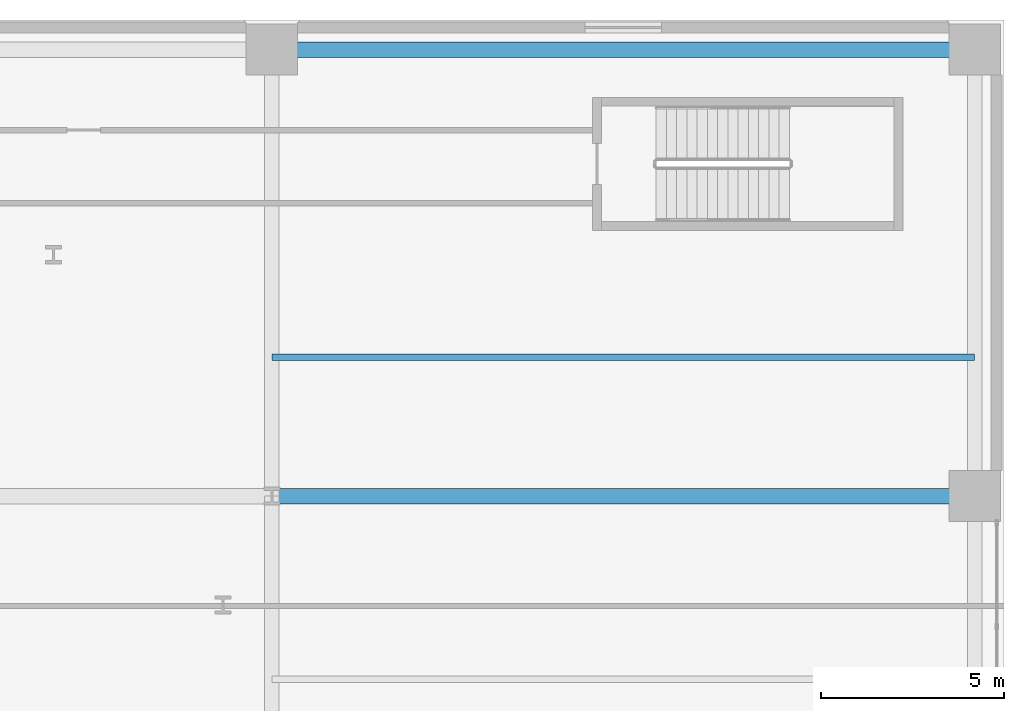
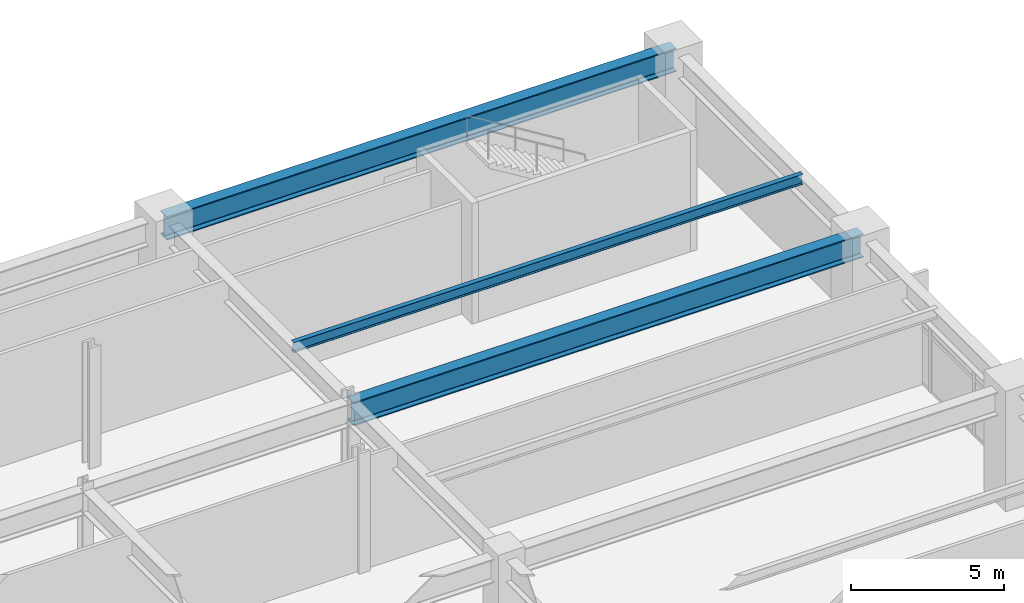
# One storey, part 17 of 28: 3 beams.
"""IFC4 building model written with IfcOpenShell, lengths in metres."""

from ifc_helpers import new_model, si_unit, direction, frame, origin, origin_2d, place, context, subcontext, project, spatial, i_section, extrude, material, material_profile, profile_set, type_object, element, save


model = new_model("IFC4")

# Units and contexts
model_context = context("Model", 3, precision=1e-05, world=origin(), true_north=direction((0.0, 1.0)))
body_context = subcontext(model_context, "Body", "Model", "MODEL_VIEW")
ifc_project = project(units=[si_unit("LENGTHUNIT", "METRE"), si_unit("AREAUNIT", "SQUARE_METRE"), si_unit("VOLUMEUNIT", "CUBIC_METRE"), si_unit("PLANEANGLEUNIT", "RADIAN"), si_unit("MASSUNIT", "GRAM", prefix="KILO")], contexts=[model_context])

# Site, building, storey
site_placement = place(None, origin())
site = spatial("IfcSite", under=ifc_project, at=site_placement, CompositionType="ELEMENT")
building_placement = place(site_placement, origin())
building = spatial("IfcBuilding", under=site, at=building_placement, Name="Soratama Intermodal Tower", CompositionType="ELEMENT")
storey_placement = place(building_placement, frame((0.0, 0.0, 11.39990234375)))
storey = spatial("IfcBuildingStorey", under=building, at=storey_placement, Name="L02", CompositionType="ELEMENT", Elevation=11.39990234375)

# Beams
ifc_material_1 = material(Name="Structural steel ASTM A992 Grade 50", Category="steel")
ifc_material_profile_1 = material_profile(ifc_material_1, i_section(OverallWidth=0.177978515625, OverallDepth=0.406982421875, WebThickness=0.0078125, FlangeThickness=0.0126953125, FilletRadius=0.010009765625, at=origin_2d()), Name="W16X40")
ifc_profile_set_1 = profile_set([ifc_material_profile_1], Name="Structural steel ASTM A992 Grade 50")
beam_type_1 = type_object("IfcBeamType", Name="BM-JST-W16X40", PredefinedType="JOIST", material=ifc_profile_set_1)
beam_1_placement = place(storey_placement, frame((64.0, 38.800048828125, 4.276611328125), z_axis=(1.0, 0.0, 0.0), x_axis=(0.0, 1.0, 0.0)))
element("IfcBeam", 1, at=beam_1_placement, inside=storey, type_object=beam_type_1, Name="JST-L02-E4", PredefinedType="JOIST", context=body_context, shape_type="SweptSolid", body=[
    extrude(i_section(OverallWidth=0.177978515625, OverallDepth=0.406982421875, WebThickness=0.0078125, FlangeThickness=0.0126953125, FilletRadius=0.010009765625, at=origin_2d()), origin(), (0.0, 0.0, 1.0), 19.199951171875),
])
ifc_material_2 = material(Name="Structural steel ASTM A992 Grade 50", Category="steel")
ifc_material_profile_2 = material_profile(ifc_material_2, i_section(OverallWidth=0.423095703125, OverallDepth=0.93896484375, WebThickness=0.02392578125, FlangeThickness=0.042724609375, FilletRadius=0.02392578125, at=origin_2d()), Name="W36X302")
ifc_profile_set_2 = profile_set([ifc_material_profile_2], Name="Structural steel ASTM A992 Grade 50")
beam_type_2 = type_object("IfcBeamType", Name="BM-POD-EXT-W36", PredefinedType="BEAM", material=ifc_profile_set_2)
beam_2_placement = place(storey_placement, frame((64.0, 47.199951171875, 4.010498046875), z_axis=(1.0, 0.0, 0.0), x_axis=(0.0, 1.0, 0.0)))
element("IfcBeam", 2, at=beam_2_placement, inside=storey, type_object=beam_type_2, Name="L02 Station Girder X5-5", PredefinedType="BEAM", context=body_context, shape_type="SweptSolid", body=[
    extrude(i_section(OverallWidth=0.423095703125, OverallDepth=0.93896484375, WebThickness=0.02392578125, FlangeThickness=0.042724609375, FilletRadius=0.02392578125, at=origin_2d()), origin(), (0.0, 0.0, 1.0), 19.199951171875),
])
ifc_material_3 = material(Name="Structural steel ASTM A992 Grade 50", Category="steel")
ifc_material_profile_3 = material_profile(ifc_material_3, i_section(OverallWidth=0.423095703125, OverallDepth=0.93896484375, WebThickness=0.02392578125, FlangeThickness=0.042724609375, FilletRadius=0.02392578125, at=origin_2d()), Name="W36X302")
ifc_profile_set_3 = profile_set([ifc_material_profile_3], Name="Structural steel ASTM A992 Grade 50")
beam_type_3 = type_object("IfcBeamType", Name="BM-POD-W36X302", PredefinedType="BEAM", material=ifc_profile_set_3)
beam_3_placement = place(storey_placement, frame((64.0, 35.0, 4.010498046875), z_axis=(1.0, 0.0, 0.0), x_axis=(0.0, 1.0, 0.0)))
element("IfcBeam", 3, at=beam_3_placement, inside=storey, type_object=beam_type_3, Name="L02 Station Girder X4-5", PredefinedType="BEAM", context=body_context, shape_type="SweptSolid", body=[
    extrude(i_section(OverallWidth=0.423095703125, OverallDepth=0.93896484375, WebThickness=0.02392578125, FlangeThickness=0.042724609375, FilletRadius=0.02392578125, at=origin_2d()), origin(), (0.0, 0.0, 1.0), 19.199951171875),
])

save(model, "model.ifc")
